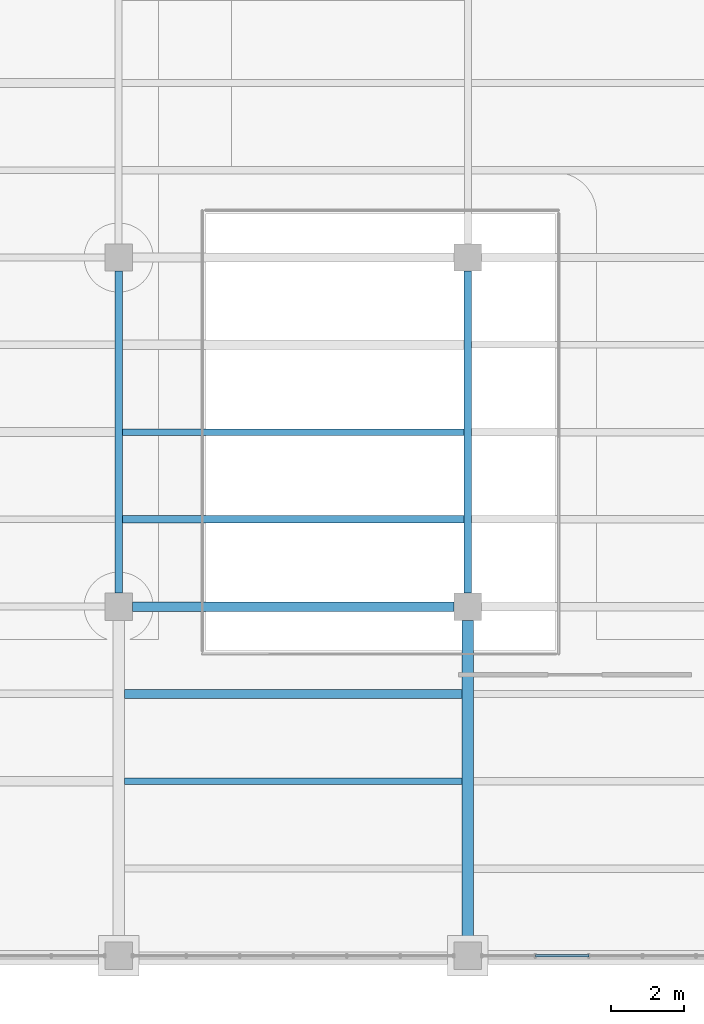
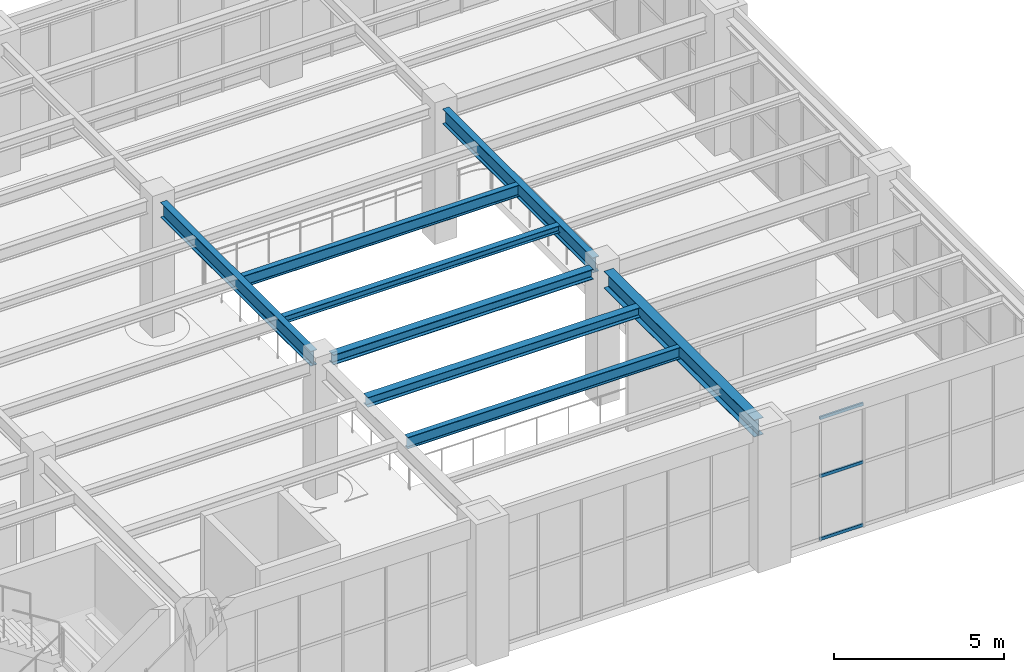
# One storey, part 13 of 174: 8 beams, 3 members, 1 element without a shape of its own.
"""IFC4 building model written with IfcOpenShell, lengths in metres."""

from ifc_helpers import new_model, si_unit, direction, frame, origin, origin_2d, place, context, subcontext, project, spatial, hollow_rectangle, i_section, extrude, material, material_profile, profile_set, type_object, element, aggregate, save


model = new_model("IFC4")

# Units and contexts
model_context = context("Model", 3, precision=1e-05, world=origin(), true_north=direction((0.0, 1.0)))
body_context = subcontext(model_context, "Body", "Model", "MODEL_VIEW")
ifc_project = project(units=[si_unit("LENGTHUNIT", "METRE"), si_unit("AREAUNIT", "SQUARE_METRE"), si_unit("VOLUMEUNIT", "CUBIC_METRE"), si_unit("PLANEANGLEUNIT", "RADIAN"), si_unit("MASSUNIT", "GRAM", prefix="KILO")], contexts=[model_context])

# Site, building, storey
site_placement = place(None, origin())
site = spatial("IfcSite", under=ifc_project, at=site_placement, CompositionType="ELEMENT")
building_placement = place(site_placement, origin())
building = spatial("IfcBuilding", under=site, at=building_placement, Name="Mavantir Sound Aquarium", CompositionType="ELEMENT")
storey_placement = place(building_placement, frame((0.0, 0.0, 5.39990234375)))
storey = spatial("IfcBuildingStorey", under=building, at=storey_placement, Name="L01", CompositionType="ELEMENT", Elevation=5.39990234375)

# Beams
ifc_material_1 = material(Name="Structural Steel ASTM A992 Gr50", Category="steel")
ifc_material_profile_1 = material_profile(ifc_material_1, i_section(OverallWidth=0.202880859375, OverallDepth=0.251953125, WebThickness=0.008056640625, FlangeThickness=0.013427734375, FilletRadius=0.011962890625, at=origin_2d()), Name="W250X58")
ifc_profile_set_1 = profile_set([ifc_material_profile_1], Name="Structural Steel ASTM A992 Gr50")
beam_type_1 = type_object("IfcBeamType", Name="BM-W250X58-I", PredefinedType="JOIST", material=ifc_profile_set_1)
beam_1_placement = place(storey_placement, frame((19.305908203125, 12.0, 4.670166015625), z_axis=(1.0, 0.0, 0.0), x_axis=(0.0, 1.0, 0.0)))
element("IfcBeam", 1, at=beam_1_placement, inside=storey, type_object=beam_type_1, Name="L01 secondary floor joist SJ-25 704", PredefinedType="JOIST", context=body_context, shape_type="SweptSolid", body=[
    extrude(i_section(OverallWidth=0.202880859375, OverallDepth=0.251953125, WebThickness=0.008056640625, FlangeThickness=0.013427734375, FilletRadius=0.011962890625, at=origin_2d()), origin(), (0.0, 0.0, 1.0), 9.38818359375),
])
ifc_material_profile_2 = material_profile(ifc_material_1, i_section(OverallWidth=0.257080078125, OverallDepth=0.363037109375, WebThickness=0.012939453125, FlangeThickness=0.021728515625, FilletRadius=0.014892578125, at=origin_2d()), Name="W360X122")
ifc_profile_set_2 = profile_set([ifc_material_profile_2], Name="Structural Steel ASTM A992 Gr50")
beam_type_2 = type_object("IfcBeamType", Name="BM-W360X122-I", PredefinedType="BEAM", material=ifc_profile_set_2)
beam_2_placement = place(storey_placement, frame((19.574951171875, 9.60009765625, 4.614501953125), z_axis=(1.0, 0.0, 0.0), x_axis=(0.0, 1.0, 0.0)))
element("IfcBeam", 2, at=beam_2_placement, inside=storey, type_object=beam_type_2, Name="L01 primary beam SB-36A 1212", PredefinedType="BEAM", context=body_context, shape_type="SweptSolid", body=[
    extrude(i_section(OverallWidth=0.257080078125, OverallDepth=0.363037109375, WebThickness=0.012939453125, FlangeThickness=0.021728515625, FilletRadius=0.014892578125, at=origin_2d()), origin(), (0.0, 0.0, 1.0), 8.85009765625),
])
ifc_material_profile_3 = material_profile(ifc_material_1, i_section(OverallWidth=0.25390625, OverallDepth=0.35302734375, WebThickness=0.009521484375, FlangeThickness=0.016357421875, FilletRadius=0.014892578125, at=origin_2d()), Name="W360X91")
ifc_profile_set_3 = profile_set([ifc_material_profile_3], Name="Structural Steel ASTM A992 Gr50")
beam_type_3 = type_object("IfcBeamType", Name="BM-W360X91-I", PredefinedType="JOIST", material=ifc_profile_set_3)
beam_3_placement = place(storey_placement, frame((19.362060546875, 7.199951171875, 4.61962890625), z_axis=(1.0, 0.0, 0.0), x_axis=(0.0, 1.0, 0.0)))
element("IfcBeam", 3, at=beam_3_placement, inside=storey, type_object=beam_type_3, Name="L01 secondary floor joist SJ-36 694", PredefinedType="JOIST", context=body_context, shape_type="SweptSolid", body=[
    extrude(i_section(OverallWidth=0.25390625, OverallDepth=0.35302734375, WebThickness=0.009521484375, FlangeThickness=0.016357421875, FilletRadius=0.014892578125, at=origin_2d()), origin(), (0.0, 0.0, 1.0), 9.27587890625),
])
ifc_material_profile_4 = material_profile(ifc_material_1, i_section(OverallWidth=0.180908203125, OverallDepth=0.4169921875, WebThickness=0.010986328125, FlangeThickness=0.018310546875, FilletRadius=0.014892578125, at=origin_2d()), Name="W410X85")
ifc_profile_set_4 = profile_set([ifc_material_profile_4], Name="Structural Steel ASTM A992 Gr50")
beam_type_4 = type_object("IfcBeamType", Name="BM-W410X85-I", PredefinedType="JOIST", material=ifc_profile_set_4)
beam_4_placement = place(storey_placement, frame((19.362060546875, 4.800048828125, 4.587646484375), z_axis=(1.0, 0.0, 0.0), x_axis=(0.0, 1.0, 0.0)))
element("IfcBeam", 4, at=beam_4_placement, inside=storey, type_object=beam_type_4, Name="L01 secondary floor joist SJ-41 693", PredefinedType="JOIST", context=body_context, shape_type="SweptSolid", body=[
    extrude(i_section(OverallWidth=0.180908203125, OverallDepth=0.4169921875, WebThickness=0.010986328125, FlangeThickness=0.018310546875, FilletRadius=0.014892578125, at=origin_2d()), origin(), (0.0, 0.0, 1.0), 9.27587890625),
])
beam_5_placement = place(storey_placement, frame((19.305908203125, 14.39990234375, 4.587646484375), z_axis=(1.0, 0.0, 0.0), x_axis=(0.0, 1.0, 0.0)))
element("IfcBeam", 5, at=beam_5_placement, inside=storey, type_object=beam_type_4, Name="L01 secondary floor joist SJ-41 705", PredefinedType="JOIST", context=body_context, shape_type="SweptSolid", body=[
    extrude(i_section(OverallWidth=0.180908203125, OverallDepth=0.4169921875, WebThickness=0.010986328125, FlangeThickness=0.018310546875, FilletRadius=0.014892578125, at=origin_2d()), origin(), (0.0, 0.0, 1.0), 9.38818359375),
])
ifc_material_profile_5 = material_profile(ifc_material_1, i_section(OverallWidth=0.2119140625, OverallDepth=0.5439453125, WebThickness=0.01318359375, FlangeThickness=0.021240234375, FilletRadius=0.01806640625, at=origin_2d()), Name="W530X123")
ifc_profile_set_5 = profile_set([ifc_material_profile_5], Name="Structural Steel ASTM A992 Gr50")
beam_type_5 = type_object("IfcBeamType", Name="BM-W530X123-I", PredefinedType="BEAM", material=ifc_profile_set_5)
for number, where, z_axis, x_axis, name in (
    (6, (19.199951171875, 9.97509765625, 4.524169921875), (0.0, 1.0, 0.0), (-1.0, 0.0, 0.0), "L01 primary girder SB-53 1229"),
    (7, (28.800048828125, 9.97509765625, 4.524169921875), (0.0, 1.0, 0.0), (-1.0, 0.0, 0.0), "L01 primary girder SB-53 1232"),
):
    element("IfcBeam", number, at=place(storey_placement, frame(where, z_axis=z_axis, x_axis=x_axis)), inside=storey, type_object=beam_type_5, Name=name, PredefinedType="BEAM", context=body_context, shape_type="SweptSolid", body=[
        extrude(i_section(OverallWidth=0.2119140625, OverallDepth=0.5439453125, WebThickness=0.01318359375, FlangeThickness=0.021240234375, FilletRadius=0.01806640625, at=origin_2d()), origin(), (0.0, 0.0, 1.0), 8.849853515625),
    ])
ifc_material_profile_6 = material_profile(ifc_material_1, i_section(OverallWidth=0.323974609375, OverallDepth=0.611083984375, WebThickness=0.0126953125, FlangeThickness=0.01904296875, FilletRadius=0.01904296875, at=origin_2d()), Name="W610X155")
ifc_profile_set_6 = profile_set([ifc_material_profile_6], Name="Structural Steel ASTM A992 Gr50")
beam_type_6 = type_object("IfcBeamType", Name="BM-W610X155-I", PredefinedType="BEAM", material=ifc_profile_set_6)
beam_6_placement = place(storey_placement, frame((28.800048828125, 0.375, 4.490478515625), z_axis=(0.0, 1.0, 0.0), x_axis=(-1.0, 0.0, 0.0)))
element("IfcBeam", 8, at=beam_6_placement, inside=storey, type_object=beam_type_6, Name="L01 primary girder SB-61A 1231", PredefinedType="BEAM", context=body_context, shape_type="SweptSolid", body=[
    extrude(i_section(OverallWidth=0.323974609375, OverallDepth=0.611083984375, WebThickness=0.0126953125, FlangeThickness=0.01904296875, FilletRadius=0.01904296875, at=origin_2d()), origin(), (0.0, 0.0, 1.0), 8.85009765625),
])

# Curtain wall, members
ifc_material_2 = material(Name="Anodised Marine Aluminium and Low-E Glass", Category="aluminium")
curtain_wall_type = type_object("IfcCurtainWallType", Name="CW-T08", PredefinedType="USERDEFINED", material=ifc_material_2)
curtain_wall_placement = place(storey_placement, origin())
curtain_wall = element("IfcCurtainWall", 9, at=curtain_wall_placement, inside=storey, type_object=curtain_wall_type, Name="L01 unitised curtain wall CW-08 80", ObjectType="UNITISED GLAZING", PredefinedType="USERDEFINED")
ifc_material_3 = material(Name="Anodised Marine Aluminium 6063-T6", Category="aluminium")
ifc_material_profile_7 = material_profile(ifc_material_3, hollow_rectangle(XDim=0.06005859375, YDim=0.110107421875, WallThickness=0.00390625, at=origin_2d()), Name="ALU-TRANSOM-110X60")
ifc_profile_set_7 = profile_set([ifc_material_profile_7], Name="Anodised Marine Aluminium 6063-T6")
member_type = type_object("IfcMemberType", Name="CW-TRN-110", PredefinedType="USERDEFINED", material=ifc_profile_set_7)
member_1_placement = place(storey_placement, frame((30.6552734375, 0.0, 0.05517578125), z_axis=(1.0, 0.0, 0.0), x_axis=(0.0, 1.0, 0.0)))
member_1 = element("IfcMember", 10, at=member_1_placement, type_object=member_type, Name="CW-L01-080 transom 2.1", ObjectType="TRANSOM", PredefinedType="USERDEFINED", context=body_context, shape_type="SweptSolid", body=[
    extrude(hollow_rectangle(XDim=0.06005859375, YDim=0.110107421875, WallThickness=0.00390625, at=origin_2d()), origin(), (0.0, 0.0, 1.0), 1.472412109375),
])
member_2_placement = place(storey_placement, frame((30.6552734375, 0.0, 2.318359375), z_axis=(1.0, 0.0, 0.0), x_axis=(0.0, 1.0, 0.0)))
member_2 = element("IfcMember", 11, at=member_2_placement, type_object=member_type, Name="CW-L01-080 transom 2.2", ObjectType="TRANSOM", PredefinedType="USERDEFINED", context=body_context, shape_type="SweptSolid", body=[
    extrude(hollow_rectangle(XDim=0.06005859375, YDim=0.110107421875, WallThickness=0.00390625, at=origin_2d()), origin(), (0.0, 0.0, 1.0), 1.472412109375),
])
member_3_placement = place(storey_placement, frame((30.6552734375, 0.0, 4.403076171875), z_axis=(1.0, 0.0, 0.0), x_axis=(0.0, 1.0, 0.0)))
member_3 = element("IfcMember", 12, at=member_3_placement, type_object=member_type, Name="CW-L01-080 transom 2.3", ObjectType="TRANSOM", PredefinedType="USERDEFINED", context=body_context, shape_type="SweptSolid", body=[
    extrude(hollow_rectangle(XDim=0.06005859375, YDim=0.110107421875, WallThickness=0.00390625, at=origin_2d()), origin(), (0.0, 0.0, 1.0), 1.472412109375),
])
aggregate(curtain_wall, [member_1, member_2, member_3])

save(model, "model.ifc")
